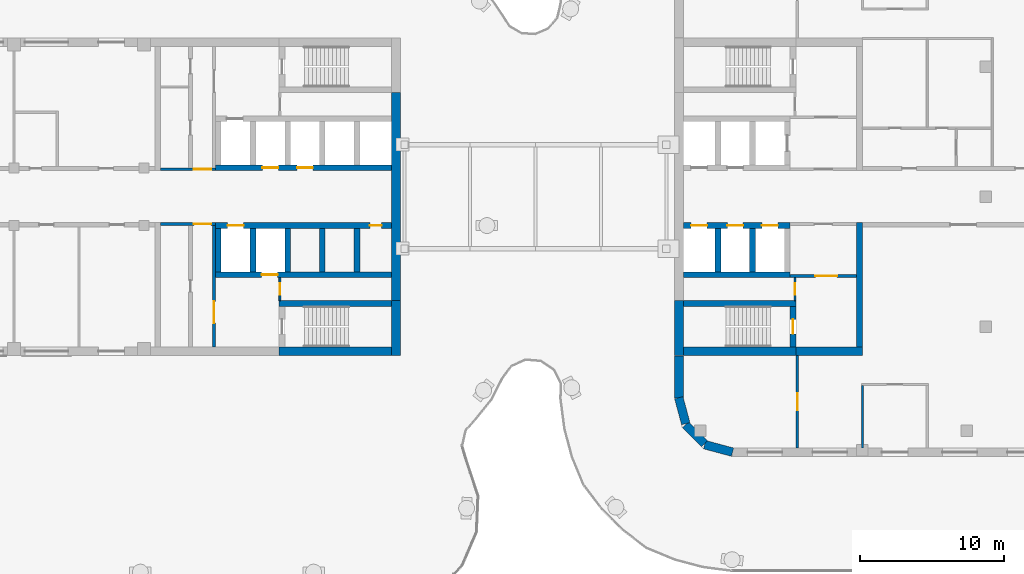
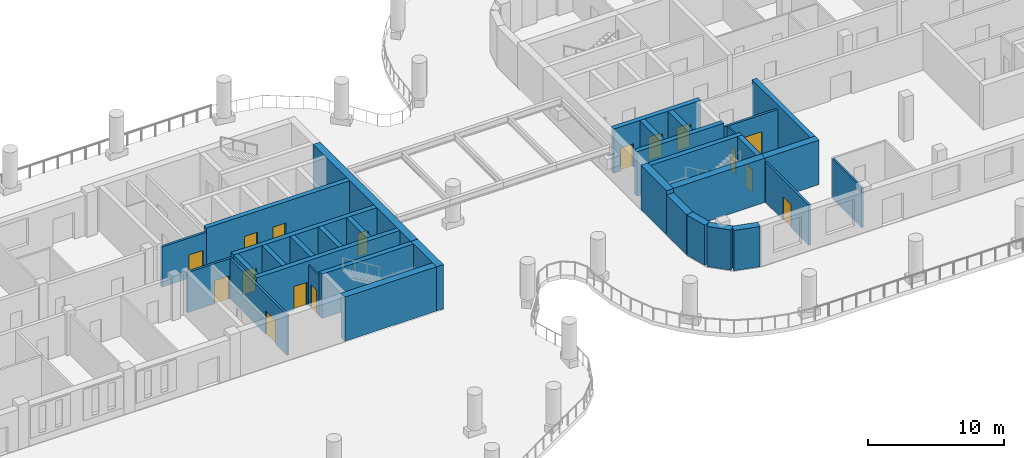
# One storey, part 6 of 18: 34 walls, 16 doors, 16 openings.
"""IFC4 building model written with IfcOpenShell, lengths in metres."""

from ifc_helpers import new_model, si_unit, direction, frame, frame_2d, origin, place, context, subcontext, project, spatial, rectangle, extrude, material, layer, layer_set, type_object, element, fill, save


model = new_model("IFC4")

# Units and contexts
model_context = context("Model", 3, precision=1e-05, world=origin(), true_north=direction((0.0, 1.0)))
body_context = subcontext(model_context, "Body", "Model", "MODEL_VIEW")
ifc_project = project(units=[si_unit("LENGTHUNIT", "METRE"), si_unit("AREAUNIT", "SQUARE_METRE"), si_unit("VOLUMEUNIT", "CUBIC_METRE"), si_unit("PLANEANGLEUNIT", "RADIAN"), si_unit("MASSUNIT", "GRAM", prefix="KILO")], contexts=[model_context])

# Site, building, storey
site_placement = place(None, origin())
site = spatial("IfcSite", under=ifc_project, at=site_placement, CompositionType="ELEMENT")
building_placement = place(site_placement, origin())
building = spatial("IfcBuilding", under=site, at=building_placement, Name="Skarvind Civic Tower", CompositionType="ELEMENT")
storey_placement = place(building_placement, frame((0.0, 0.0, 27.5)))
storey = spatial("IfcBuildingStorey", under=building, at=storey_placement, Name="L05", CompositionType="ELEMENT", Elevation=27.5)

# Wall, opening, door
ifc_material_1 = material(Name="Acoustic gypsum board on steel studs", Category="steel")
ifc_layer_1 = layer(ifc_material_1, 0.175048828125)
ifc_layer_set_1 = layer_set([ifc_layer_1], Name="ACOUSTIC MEETING-ROOM PARTITION 175")
wall_type_1 = type_object("IfcWallType", Name="ACOUSTIC MEETING-ROOM PARTITION 175", PredefinedType="PARTITIONING", material=ifc_layer_set_1)
wall_1_placement = place(storey_placement, frame((135.5, 117.0, 0.0), z_axis=(0.0, 0.0, 1.0), x_axis=(0.0, -1.0, 0.0)))
wall_1 = element("IfcWall", 1, at=wall_1_placement, inside=storey, type_object=wall_type_1, Name="Partition 05.001", PredefinedType="PARTITIONING", context=body_context, shape_type="SweptSolid", body=[
    extrude(rectangle(XDim=6.39990234375, YDim=0.175048828125, at=frame_2d((3.199951171875, 0.0))), origin(), (0.0, 0.0, 1.0), 3.625),
])
opening_1_placement = place(wall_1_placement, frame((2.60009765625, 0.0, 0.0)))
opening_1 = element("IfcOpeningElement", 2, at=opening_1_placement, cuts=wall_1, Name="Opening L05-D111", PredefinedType="OPENING", context=body_context, shape_type="SweptSolid", body=[
    extrude(rectangle(XDim=1.199951171875, YDim=2.10009765625, at=frame_2d((0.60009765625, 1.050048828125))), frame((0.0, 0.097412109375, 0.0), z_axis=(0.0, -1.0, 0.0), x_axis=(1.0, 0.0, 0.0)), (0.0, 0.0, 1.0), 0.195068359375),
])
ifc_material_2 = material(Name="Timber door leaf", Category="wood")
door_type_1 = type_object("IfcDoorType", Name="DOOR 1200X2100 DOUBLE TIMBER", OperationType="NOTDEFINED", PredefinedType="DOOR", material=ifc_material_2)
door_1_placement = place(opening_1_placement, origin())
door_1 = element("IfcDoor", 3, at=door_1_placement, inside=storey, type_object=door_type_1, Name="Door L05-D111", OperationType="DOUBLE_DOOR_SINGLE_SWING", OverallHeight=2.10009765625, OverallWidth=1.199951171875, PredefinedType="DOOR", context=body_context, shape_type="SweptSolid", body=[
    extrude(rectangle(XDim=1.199951171875, YDim=2.10009765625, at=frame_2d((0.60009765625, 1.050048828125))), frame((0.0, 0.02490234375, 0.0), z_axis=(0.0, -1.0, 0.0), x_axis=(1.0, 0.0, 0.0)), (0.0, 0.0, 1.0), 0.050048828125),
])
fill(opening_1, door_1)

ifc_material_3 = material(Name="Fire-rated masonry partition", Category="masonry")
ifc_layer_2 = layer(ifc_material_3, 0.199951171875)
ifc_layer_set_2 = layer_set([ifc_layer_2], Name="Core enclosure wall 200")
wall_type_2 = type_object("IfcWallType", Name="Core enclosure wall 200", PredefinedType="PARTITIONING", material=ifc_layer_set_2)
wall_2_placement = place(storey_placement, frame((95.199951171875, 126.10009765625, 0.0), z_axis=(0.0, 0.0, 1.0), x_axis=(-1.0, 0.0, 0.0)))
wall_2 = element("IfcWall", 4, at=wall_2_placement, inside=storey, type_object=wall_type_2, Name="Core wall C1", PredefinedType="PARTITIONING", context=body_context, shape_type="SweptSolid", body=[
    extrude(rectangle(XDim=3.800048828125, YDim=0.199951171875, at=frame_2d((1.89990234375, 0.0))), origin(), (0.0, 0.0, 1.0), 3.625),
])
opening_2_placement = place(wall_2_placement, frame((0.300048828125, 0.0, 0.0)))
opening_2 = element("IfcOpeningElement", 5, at=opening_2_placement, cuts=wall_2, Name="Opening D-L05-C1-05", PredefinedType="OPENING", context=body_context, shape_type="SweptSolid", body=[
    extrude(rectangle(XDim=1.199951171875, YDim=2.10009765625, at=frame_2d((0.60009765625, 1.050048828125))), frame((0.0, 0.10986328125, 0.0), z_axis=(0.0, -1.0, 0.0), x_axis=(1.0, 0.0, 0.0)), (0.0, 0.0, 1.0), 0.219970703125),
])
ifc_material_4 = material(Name="Fire-rated steel door", Category="steel")
door_type_2 = type_object("IfcDoorType", Name="Core lobby door 1200", OperationType="NOTDEFINED", PredefinedType="DOOR", material=ifc_material_4)
door_2_placement = place(opening_2_placement, origin())
door_2 = element("IfcDoor", 6, at=door_2_placement, inside=storey, type_object=door_type_2, Name="Fire door", OperationType="DOUBLE_DOOR_SINGLE_SWING", OverallHeight=2.10009765625, OverallWidth=1.199951171875, PredefinedType="DOOR", context=body_context, shape_type="SweptSolid", body=[
    extrude(rectangle(XDim=1.199951171875, YDim=2.10009765625, at=frame_2d((0.60009765625, 1.050048828125))), frame((0.0, 0.02490234375, 0.0), z_axis=(0.0, -1.0, 0.0), x_axis=(1.0, 0.0, 0.0)), (0.0, 0.0, 1.0), 0.050048828125),
])
fill(opening_2, door_2)

wall_3_placement = place(storey_placement, frame((95.10009765625, 117.60009765625, 0.0), z_axis=(0.0, 0.0, 1.0), x_axis=(0.0, 1.0, 0.0)))
wall_3 = element("IfcWall", 7, at=wall_3_placement, inside=storey, type_object=wall_type_2, Name="Core wall C1", PredefinedType="PARTITIONING", context=body_context, shape_type="SweptSolid", body=[
    extrude(rectangle(XDim=8.39990234375, YDim=0.199951171875, at=frame_2d((4.199951171875, 0.0))), origin(), (0.0, 0.0, 1.0), 3.625),
])
opening_3_placement = place(wall_3_placement, frame((1.64990234375, 0.0, 0.0)))
opening_3 = element("IfcOpeningElement", 8, at=opening_3_placement, cuts=wall_3, Name="Opening D-L05-C1-06", PredefinedType="OPENING", context=body_context, shape_type="SweptSolid", body=[
    extrude(rectangle(XDim=1.5, YDim=2.10009765625, at=frame_2d((0.75, 1.050048828125))), frame((0.0, 0.10986328125, 0.0), z_axis=(0.0, -1.0, 0.0), x_axis=(1.0, 0.0, 0.0)), (0.0, 0.0, 1.0), 0.219970703125),
])
door_type_3 = type_object("IfcDoorType", Name="Fire door 1500", OperationType="NOTDEFINED", PredefinedType="DOOR", material=ifc_material_4)
door_3_placement = place(opening_3_placement, origin())
door_3 = element("IfcDoor", 9, at=door_3_placement, inside=storey, type_object=door_type_3, Name="Fire door", OperationType="DOUBLE_DOOR_SINGLE_SWING", OverallHeight=2.10009765625, OverallWidth=1.5, PredefinedType="DOOR", context=body_context, shape_type="SweptSolid", body=[
    extrude(rectangle(XDim=1.5, YDim=2.10009765625, at=frame_2d((0.75, 1.050048828125))), frame((0.0, 0.02490234375, 0.0), z_axis=(0.0, -1.0, 0.0), x_axis=(1.0, 0.0, 0.0)), (0.0, 0.0, 1.0), 0.050048828125),
])
fill(opening_3, door_3)

wall_4_placement = place(storey_placement, frame((91.39990234375, 129.89990234375, 0.0), z_axis=(0.0, 0.0, 1.0), x_axis=(1.0, 0.0, 0.0)))
wall_4 = element("IfcWall", 10, at=wall_4_placement, inside=storey, type_object=wall_type_2, Name="Core wall C1", PredefinedType="PARTITIONING", context=body_context, shape_type="SweptSolid", body=[
    extrude(rectangle(XDim=3.800048828125, YDim=0.199951171875, at=frame_2d((1.89990234375, 0.0))), origin(), (0.0, 0.0, 1.0), 3.625),
])
opening_4_placement = place(wall_4_placement, frame((2.300048828125, 0.0, 0.0)))
opening_4 = element("IfcOpeningElement", 11, at=opening_4_placement, cuts=wall_4, Name="Opening D-L05-C1-10", PredefinedType="OPENING", context=body_context, shape_type="SweptSolid", body=[
    extrude(rectangle(XDim=1.199951171875, YDim=2.10009765625, at=frame_2d((0.60009765625, 1.050048828125))), frame((0.0, 0.10986328125, 0.0), z_axis=(0.0, -1.0, 0.0), x_axis=(1.0, 0.0, 0.0)), (0.0, 0.0, 1.0), 0.219970703125),
])
door_4_placement = place(opening_4_placement, origin())
door_4 = element("IfcDoor", 12, at=door_4_placement, inside=storey, type_object=door_type_2, Name="Fire door", OperationType="DOUBLE_DOOR_SINGLE_SWING", OverallHeight=2.10009765625, OverallWidth=1.199951171875, PredefinedType="DOOR", context=body_context, shape_type="SweptSolid", body=[
    extrude(rectangle(XDim=1.199951171875, YDim=2.10009765625, at=frame_2d((0.60009765625, 1.050048828125))), frame((0.0, 0.02490234375, 0.0), z_axis=(0.0, -1.0, 0.0), x_axis=(1.0, 0.0, 0.0)), (0.0, 0.0, 1.0), 0.050048828125),
])
fill(opening_4, door_4)

wall_5_placement = place(storey_placement, frame((139.60009765625, 122.5, 0.0), z_axis=(0.0, 0.0, 1.0), x_axis=(-1.0, 0.0, 0.0)))
wall_5 = element("IfcWall", 13, at=wall_5_placement, inside=storey, type_object=wall_type_2, Name="Core wall CA", PredefinedType="PARTITIONING", context=body_context, shape_type="SweptSolid", body=[
    extrude(rectangle(XDim=4.60009765625, YDim=0.199951171875, at=frame_2d((2.300048828125, 0.0))), origin(), (0.0, 0.0, 1.0), 3.625),
])
opening_5_placement = place(wall_5_placement, frame((1.35009765625, 0.0, 0.0)))
opening_5 = element("IfcOpeningElement", 14, at=opening_5_placement, cuts=wall_5, Name="Opening D-L05-CA-11", PredefinedType="OPENING", context=body_context, shape_type="SweptSolid", body=[
    extrude(rectangle(XDim=1.5, YDim=2.10009765625, at=frame_2d((0.75, 1.050048828125))), frame((0.0, 0.10986328125, 0.0), z_axis=(0.0, -1.0, 0.0), x_axis=(1.0, 0.0, 0.0)), (0.0, 0.0, 1.0), 0.219970703125),
])
door_5_placement = place(opening_5_placement, origin())
door_5 = element("IfcDoor", 15, at=door_5_placement, inside=storey, type_object=door_type_3, Name="Fire door", OperationType="DOUBLE_DOOR_SINGLE_SWING", OverallHeight=2.10009765625, OverallWidth=1.5, PredefinedType="DOOR", context=body_context, shape_type="SweptSolid", body=[
    extrude(rectangle(XDim=1.5, YDim=2.10009765625, at=frame_2d((0.75, 1.050048828125))), frame((0.0, 0.02490234375, 0.0), z_axis=(0.0, -1.0, 0.0), x_axis=(1.0, 0.0, 0.0)), (0.0, 0.0, 1.0), 0.050048828125),
])
fill(opening_5, door_5)

# Wall
ifc_material_5 = material(Name="Concrete C80", Category="concrete")
ifc_layer_3 = layer(ifc_material_5, 0.39990234375)
ifc_layer_set_3 = layer_set([ifc_layer_3], Name="Core wall 400 C80")
wall_type_3 = type_object("IfcWallType", Name="Core wall 400 C80", PredefinedType="SHEAR", material=ifc_layer_set_3)
wall_6_placement = place(storey_placement, frame((107.39990234375, 120.60009765625, 0.0), z_axis=(0.0, 0.0, 1.0), x_axis=(-1.0, 0.0, 0.0)))
element("IfcWall", 16, at=wall_6_placement, inside=storey, type_object=wall_type_3, Name="Core wall C1 north stair inner L05", PredefinedType="SHEAR", context=body_context, shape_type="SweptSolid", body=[
    extrude(rectangle(XDim=7.7998046875, YDim=0.39990234375, at=frame_2d((3.89990234375, 0.0))), origin(), (0.0, 0.0, 1.0), 4.0),
])

# Wall, openings, doors
wall_7_placement = place(storey_placement, frame((107.39990234375, 130.0, 0.0), z_axis=(0.0, 0.0, 1.0), x_axis=(-1.0, 0.0, 0.0)))
wall_7 = element("IfcWall", 17, at=wall_7_placement, inside=storey, type_object=wall_type_3, Name="Core wall C1 south lift row front L05", PredefinedType="SHEAR", context=body_context, shape_type="SweptSolid", body=[
    extrude(rectangle(XDim=12.199951171875, YDim=0.39990234375, at=frame_2d((6.10009765625, 0.0))), origin(), (0.0, 0.0, 1.0), 4.0),
])
opening_6_placement = place(wall_7_placement, frame((5.449951171875, 0.0, 0.0)))
opening_6 = element("IfcOpeningElement", 18, at=opening_6_placement, cuts=wall_7, Name="Opening LD07108", PredefinedType="OPENING", context=body_context, shape_type="SweptSolid", body=[
    extrude(rectangle(XDim=1.10009765625, YDim=2.10009765625, at=frame_2d((0.550048828125, 1.050048828125))), frame((0.0, 0.2099609375, 0.0), z_axis=(0.0, -1.0, 0.0), x_axis=(1.0, 0.0, 0.0)), (0.0, 0.0, 1.0), 0.419921875),
])
opening_7_placement = place(wall_7_placement, frame((7.85009765625, 0.0, 0.0)))
opening_7 = element("IfcOpeningElement", 19, at=opening_7_placement, cuts=wall_7, Name="Opening LD07109", PredefinedType="OPENING", context=body_context, shape_type="SweptSolid", body=[
    extrude(rectangle(XDim=1.10009765625, YDim=2.10009765625, at=frame_2d((0.550048828125, 1.050048828125))), frame((0.0, 0.2099609375, 0.0), z_axis=(0.0, -1.0, 0.0), x_axis=(1.0, 0.0, 0.0)), (0.0, 0.0, 1.0), 0.419921875),
])
ifc_material_6 = material(Name="Stainless steel landing door", Category="steel")
door_type_4 = type_object("IfcDoorType", Name="Lift landing door 1100", OperationType="DOUBLE_DOOR_SLIDING", PredefinedType="DOOR", material=ifc_material_6)
door_6_placement = place(opening_6_placement, origin())
door_6 = element("IfcDoor", 20, at=door_6_placement, inside=storey, type_object=door_type_4, Name="Lift landing door", OperationType="DOUBLE_DOOR_SLIDING", OverallHeight=2.10009765625, OverallWidth=1.10009765625, PredefinedType="DOOR", context=body_context, shape_type="SweptSolid", body=[
    extrude(rectangle(XDim=1.10009765625, YDim=2.10009765625, at=frame_2d((0.550048828125, 1.050048828125))), frame((0.0, 0.02490234375, 0.0), z_axis=(0.0, -1.0, 0.0), x_axis=(1.0, 0.0, 0.0)), (0.0, 0.0, 1.0), 0.050048828125),
])
fill(opening_6, door_6)
door_7_placement = place(opening_7_placement, origin())
door_7 = element("IfcDoor", 21, at=door_7_placement, inside=storey, type_object=door_type_4, Name="Lift landing door", OperationType="DOUBLE_DOOR_SLIDING", OverallHeight=2.10009765625, OverallWidth=1.10009765625, PredefinedType="DOOR", context=body_context, shape_type="SweptSolid", body=[
    extrude(rectangle(XDim=1.10009765625, YDim=2.10009765625, at=frame_2d((0.550048828125, 1.050048828125))), frame((0.0, 0.02490234375, 0.0), z_axis=(0.0, -1.0, 0.0), x_axis=(1.0, 0.0, 0.0)), (0.0, 0.0, 1.0), 0.050048828125),
])
fill(opening_7, door_7)

wall_8_placement = place(storey_placement, frame((107.39990234375, 126.0, 0.0), z_axis=(0.0, 0.0, 1.0), x_axis=(-1.0, 0.0, 0.0)))
wall_8 = element("IfcWall", 22, at=wall_8_placement, inside=storey, type_object=wall_type_3, Name="Core wall C1 north lift row front L05", PredefinedType="SHEAR", context=body_context, shape_type="SweptSolid", body=[
    extrude(rectangle(XDim=12.199951171875, YDim=0.39990234375, at=frame_2d((6.10009765625, 0.0))), origin(), (0.0, 0.0, 1.0), 4.0),
])
opening_8_placement = place(wall_8_placement, frame((10.25, 0.0, 0.0)))
opening_8 = element("IfcOpeningElement", 23, at=opening_8_placement, cuts=wall_8, Name="Opening LD07105", PredefinedType="OPENING", context=body_context, shape_type="SweptSolid", body=[
    extrude(rectangle(XDim=1.10009765625, YDim=2.10009765625, at=frame_2d((0.550048828125, 1.050048828125))), frame((0.0, 0.2099609375, 0.0), z_axis=(0.0, -1.0, 0.0), x_axis=(1.0, 0.0, 0.0)), (0.0, 0.0, 1.0), 0.419921875),
])
opening_9_placement = place(wall_8_placement, frame((0.699951171875, 0.0, 0.0)))
opening_9 = element("IfcOpeningElement", 24, at=opening_9_placement, cuts=wall_8, Name="Opening D-L05-C1-04", PredefinedType="OPENING", context=body_context, shape_type="SweptSolid", body=[
    extrude(rectangle(XDim=0.800048828125, YDim=2.10009765625, at=frame_2d((0.39990234375, 1.050048828125))), frame((0.0, 0.2099609375, 0.0), z_axis=(0.0, -1.0, 0.0), x_axis=(1.0, 0.0, 0.0)), (0.0, 0.0, 1.0), 0.419921875),
])
door_type_5 = type_object("IfcDoorType", Name="Core riser door 800", OperationType="NOTDEFINED", PredefinedType="DOOR", material=ifc_material_4)
door_8_placement = place(opening_9_placement, origin())
door_8 = element("IfcDoor", 25, at=door_8_placement, inside=storey, type_object=door_type_5, Name="Riser door", OperationType="SINGLE_SWING_LEFT", OverallHeight=2.10009765625, OverallWidth=0.800048828125, PredefinedType="DOOR", context=body_context, shape_type="SweptSolid", body=[
    extrude(rectangle(XDim=0.800048828125, YDim=2.10009765625, at=frame_2d((0.39990234375, 1.050048828125))), frame((0.0, 0.02490234375, 0.0), z_axis=(0.0, -1.0, 0.0), x_axis=(1.0, 0.0, 0.0)), (0.0, 0.0, 1.0), 0.050048828125),
])
fill(opening_9, door_8)
door_9_placement = place(opening_8_placement, origin())
door_9 = element("IfcDoor", 26, at=door_9_placement, inside=storey, type_object=door_type_4, Name="Lift landing door", OperationType="DOUBLE_DOOR_SLIDING", OverallHeight=2.10009765625, OverallWidth=1.10009765625, PredefinedType="DOOR", context=body_context, shape_type="SweptSolid", body=[
    extrude(rectangle(XDim=1.10009765625, YDim=2.10009765625, at=frame_2d((0.550048828125, 1.050048828125))), frame((0.0, 0.02490234375, 0.0), z_axis=(0.0, -1.0, 0.0), x_axis=(1.0, 0.0, 0.0)), (0.0, 0.0, 1.0), 0.050048828125),
])
fill(opening_8, door_9)

# Wall, opening, door
wall_9_placement = place(storey_placement, frame((107.39990234375, 122.60009765625, 0.0), z_axis=(0.0, 0.0, 1.0), x_axis=(-1.0, 0.0, 0.0)))
wall_9 = element("IfcWall", 27, at=wall_9_placement, inside=storey, type_object=wall_type_3, Name="Core wall C1 north lift row back L05", PredefinedType="SHEAR", context=body_context, shape_type="SweptSolid", body=[
    extrude(rectangle(XDim=12.199951171875, YDim=0.39990234375, at=frame_2d((6.10009765625, 0.0))), origin(), (0.0, 0.0, 1.0), 4.0),
])
opening_10_placement = place(wall_9_placement, frame((7.89990234375, 0.0, 0.0)))
opening_10 = element("IfcOpeningElement", 28, at=opening_10_placement, cuts=wall_9, Name="Opening LD07104", PredefinedType="OPENING", context=body_context, shape_type="SweptSolid", body=[
    extrude(rectangle(XDim=1.10009765625, YDim=2.10009765625, at=frame_2d((0.550048828125, 1.050048828125))), frame((0.0, 0.2099609375, 0.0), z_axis=(0.0, -1.0, 0.0), x_axis=(1.0, 0.0, 0.0)), (0.0, 0.0, 1.0), 0.419921875),
])
door_10_placement = place(opening_10_placement, origin())
door_10 = element("IfcDoor", 29, at=door_10_placement, inside=storey, type_object=door_type_4, Name="Lift landing door", OperationType="DOUBLE_DOOR_SLIDING", OverallHeight=2.10009765625, OverallWidth=1.10009765625, PredefinedType="DOOR", context=body_context, shape_type="SweptSolid", body=[
    extrude(rectangle(XDim=1.10009765625, YDim=2.10009765625, at=frame_2d((0.550048828125, 1.050048828125))), frame((0.0, 0.02490234375, 0.0), z_axis=(0.0, -1.0, 0.0), x_axis=(1.0, 0.0, 0.0)), (0.0, 0.0, 1.0), 0.050048828125),
])
fill(opening_10, door_10)

# Walls
for number, where, z_axis, x_axis, name in (
    (30, (105.0, 125.800048828125, 0.0), (0.0, 0.0, 1.0), (0.0, -1.0, 0.0), "Core wall C1 north lift row division 1 L05"),
    (31, (102.60009765625, 125.800048828125, 0.0), (0.0, 0.0, 1.0), (0.0, -1.0, 0.0), "Core wall C1 north lift row division 2 L05"),
    (32, (100.199951171875, 125.800048828125, 0.0), (0.0, 0.0, 1.0), (0.0, -1.0, 0.0), "Core wall C1 north lift row division 3 L05"),
    (33, (97.800048828125, 125.800048828125, 0.0), (0.0, 0.0, 1.0), (0.0, -1.0, 0.0), "Core wall C1 north lift row division 4 L05"),
    (34, (95.39990234375, 125.800048828125, 0.0), (0.0, 0.0, 1.0), (0.0, -1.0, 0.0), "Core wall C1 north lift row division 5 L05"),
):
    element("IfcWall", number, at=place(storey_placement, frame(where, z_axis=z_axis, x_axis=x_axis)), inside=storey, type_object=wall_type_3, Name=name, PredefinedType="SHEAR", context=body_context, shape_type="SweptSolid", body=[
        extrude(rectangle(XDim=3.0, YDim=0.39990234375, at=frame_2d((1.5, 0.0))), origin(), (0.0, 0.0, 1.0), 4.0),
    ])
wall_10_placement = place(storey_placement, frame((127.60009765625, 120.60009765625, 0.0), z_axis=(0.0, 0.0, 1.0), x_axis=(1.0, 0.0, 0.0)))
element("IfcWall", 35, at=wall_10_placement, inside=storey, type_object=wall_type_3, Name="Core wall CA south stair inner L05", PredefinedType="SHEAR", context=body_context, shape_type="SweptSolid", body=[
    extrude(rectangle(XDim=7.7998046875, YDim=0.39990234375, at=frame_2d((3.89990234375, 0.0))), origin(), (0.0, 0.0, 1.0), 4.0),
])

# Wall, opening, door
wall_11_placement = place(storey_placement, frame((135.199951171875, 117.60009765625, 0.0), z_axis=(0.0, 0.0, 1.0), x_axis=(0.0, 1.0, 0.0)))
wall_11 = element("IfcWall", 36, at=wall_11_placement, inside=storey, type_object=wall_type_3, Name="Core wall CA south stair end L05", PredefinedType="SHEAR", context=body_context, shape_type="SweptSolid", body=[
    extrude(rectangle(XDim=2.7998046875, YDim=0.39990234375, at=frame_2d((1.39990234375, 0.0))), origin(), (0.0, 0.0, 1.0), 4.0),
])
opening_11_placement = place(wall_11_placement, frame((0.89990234375, 0.0, 0.0)))
opening_11 = element("IfcOpeningElement", 37, at=opening_11_placement, cuts=wall_11, Name="Opening D-L05-CA-12", PredefinedType="OPENING", context=body_context, shape_type="SweptSolid", body=[
    extrude(rectangle(XDim=1.0, YDim=2.10009765625, at=frame_2d((0.5, 1.050048828125))), frame((0.0, 0.2099609375, 0.0), z_axis=(0.0, -1.0, 0.0), x_axis=(1.0, 0.0, 0.0)), (0.0, 0.0, 1.0), 0.419921875),
])
door_type_6 = type_object("IfcDoorType", Name="Fire door 1000", OperationType="NOTDEFINED", PredefinedType="DOOR", material=ifc_material_4)
door_11_placement = place(opening_11_placement, origin())
door_11 = element("IfcDoor", 38, at=door_11_placement, inside=storey, type_object=door_type_6, Name="Fire door", OperationType="SINGLE_SWING_RIGHT", OverallHeight=2.10009765625, OverallWidth=1.0, PredefinedType="DOOR", context=body_context, shape_type="SweptSolid", body=[
    extrude(rectangle(XDim=1.0, YDim=2.10009765625, at=frame_2d((0.5, 1.050048828125))), frame((0.0, 0.02490234375, 0.0), z_axis=(0.0, -1.0, 0.0), x_axis=(1.0, 0.0, 0.0)), (0.0, 0.0, 1.0), 0.050048828125),
])
fill(opening_11, door_11)

# Wall, openings, doors
wall_12_placement = place(storey_placement, frame((127.60009765625, 126.0, 0.0), z_axis=(0.0, 0.0, 1.0), x_axis=(1.0, 0.0, 0.0)))
wall_12 = element("IfcWall", 39, at=wall_12_placement, inside=storey, type_object=wall_type_3, Name="Core wall CA south lift row front L05", PredefinedType="SHEAR", context=body_context, shape_type="SweptSolid", body=[
    extrude(rectangle(XDim=7.39990234375, YDim=0.39990234375, at=frame_2d((3.699951171875, 0.0))), origin(), (0.0, 0.0, 1.0), 4.0),
])
opening_12_placement = place(wall_12_placement, frame((0.550048828125, 0.0, 0.0)))
opening_12 = element("IfcOpeningElement", 40, at=opening_12_placement, cuts=wall_12, Name="Opening LD07304", PredefinedType="OPENING", context=body_context, shape_type="SweptSolid", body=[
    extrude(rectangle(XDim=1.10009765625, YDim=2.10009765625, at=frame_2d((0.550048828125, 1.050048828125))), frame((0.0, 0.2099609375, 0.0), z_axis=(0.0, -1.0, 0.0), x_axis=(1.0, 0.0, 0.0)), (0.0, 0.0, 1.0), 0.419921875),
])
opening_13_placement = place(wall_12_placement, frame((3.050048828125, 0.0, 0.0)))
opening_13 = element("IfcOpeningElement", 41, at=opening_13_placement, cuts=wall_12, Name="Opening LD07305", PredefinedType="OPENING", context=body_context, shape_type="SweptSolid", body=[
    extrude(rectangle(XDim=1.10009765625, YDim=2.10009765625, at=frame_2d((0.550048828125, 1.050048828125))), frame((0.0, 0.2099609375, 0.0), z_axis=(0.0, -1.0, 0.0), x_axis=(1.0, 0.0, 0.0)), (0.0, 0.0, 1.0), 0.419921875),
])
opening_14_placement = place(wall_12_placement, frame((5.449951171875, 0.0, 0.0)))
opening_14 = element("IfcOpeningElement", 42, at=opening_14_placement, cuts=wall_12, Name="Opening LD07306", PredefinedType="OPENING", context=body_context, shape_type="SweptSolid", body=[
    extrude(rectangle(XDim=1.10009765625, YDim=2.10009765625, at=frame_2d((0.550048828125, 1.050048828125))), frame((0.0, 0.2099609375, 0.0), z_axis=(0.0, -1.0, 0.0), x_axis=(1.0, 0.0, 0.0)), (0.0, 0.0, 1.0), 0.419921875),
])
door_12_placement = place(opening_12_placement, origin())
door_12 = element("IfcDoor", 43, at=door_12_placement, inside=storey, type_object=door_type_4, Name="Lift landing door", OperationType="DOUBLE_DOOR_SLIDING", OverallHeight=2.10009765625, OverallWidth=1.10009765625, PredefinedType="DOOR", context=body_context, shape_type="SweptSolid", body=[
    extrude(rectangle(XDim=1.10009765625, YDim=2.10009765625, at=frame_2d((0.550048828125, 1.050048828125))), frame((0.0, 0.02490234375, 0.0), z_axis=(0.0, -1.0, 0.0), x_axis=(1.0, 0.0, 0.0)), (0.0, 0.0, 1.0), 0.050048828125),
])
fill(opening_12, door_12)
door_13_placement = place(opening_13_placement, origin())
door_13 = element("IfcDoor", 44, at=door_13_placement, inside=storey, type_object=door_type_4, Name="Lift landing door", OperationType="DOUBLE_DOOR_SLIDING", OverallHeight=2.10009765625, OverallWidth=1.10009765625, PredefinedType="DOOR", context=body_context, shape_type="SweptSolid", body=[
    extrude(rectangle(XDim=1.10009765625, YDim=2.10009765625, at=frame_2d((0.550048828125, 1.050048828125))), frame((0.0, 0.02490234375, 0.0), z_axis=(0.0, -1.0, 0.0), x_axis=(1.0, 0.0, 0.0)), (0.0, 0.0, 1.0), 0.050048828125),
])
fill(opening_13, door_13)
door_14_placement = place(opening_14_placement, origin())
door_14 = element("IfcDoor", 45, at=door_14_placement, inside=storey, type_object=door_type_4, Name="Lift landing door", OperationType="DOUBLE_DOOR_SLIDING", OverallHeight=2.10009765625, OverallWidth=1.10009765625, PredefinedType="DOOR", context=body_context, shape_type="SweptSolid", body=[
    extrude(rectangle(XDim=1.10009765625, YDim=2.10009765625, at=frame_2d((0.550048828125, 1.050048828125))), frame((0.0, 0.02490234375, 0.0), z_axis=(0.0, -1.0, 0.0), x_axis=(1.0, 0.0, 0.0)), (0.0, 0.0, 1.0), 0.050048828125),
])
fill(opening_14, door_14)

# Walls
wall_13_placement = place(storey_placement, frame((127.60009765625, 122.60009765625, 0.0), z_axis=(0.0, 0.0, 1.0), x_axis=(1.0, 0.0, 0.0)))
element("IfcWall", 46, at=wall_13_placement, inside=storey, type_object=wall_type_3, Name="Core wall CA south lift row back L05", PredefinedType="SHEAR", context=body_context, shape_type="SweptSolid", body=[
    extrude(rectangle(XDim=7.39990234375, YDim=0.39990234375, at=frame_2d((3.699951171875, 0.0))), origin(), (0.0, 0.0, 1.0), 4.0),
])
for number, where, z_axis, x_axis, name in (
    (47, (130.0, 122.800048828125, 0.0), (0.0, 0.0, 1.0), (0.0, 1.0, 0.0), "Core wall CA south lift row division 1 L05"),
    (48, (132.39990234375, 122.800048828125, 0.0), (0.0, 0.0, 1.0), (0.0, 1.0, 0.0), "Core wall CA south lift row division 2 L05"),
):
    element("IfcWall", number, at=place(storey_placement, frame(where, z_axis=z_axis, x_axis=x_axis)), inside=storey, type_object=wall_type_3, Name=name, PredefinedType="SHEAR", context=body_context, shape_type="SweptSolid", body=[
        extrude(rectangle(XDim=3.0, YDim=0.39990234375, at=frame_2d((1.5, 0.0))), origin(), (0.0, 0.0, 1.0), 4.0),
    ])
wall_14_placement = place(storey_placement, frame((139.800048828125, 117.60009765625, 0.0), z_axis=(0.0, 0.0, 1.0), x_axis=(0.0, 1.0, 0.0)))
element("IfcWall", 49, at=wall_14_placement, inside=storey, type_object=wall_type_3, Name="Core wall CA south inner face L05", PredefinedType="SHEAR", context=body_context, shape_type="SweptSolid", body=[
    extrude(rectangle(XDim=8.599853515625, YDim=0.39990234375, at=frame_2d((4.2998046875, 0.0))), origin(), (0.0, 0.0, 1.0), 4.0),
])
ifc_layer_4 = layer(ifc_material_5, 0.60009765625)
ifc_layer_set_4 = layer_set([ifc_layer_4], Name="Core wall 600 C80")
wall_type_4 = type_object("IfcWallType", Name="Core wall 600 C80", PredefinedType="SHEAR", material=ifc_layer_set_4)
wall_15_placement = place(storey_placement, frame((107.699951171875, 135.199951171875, 0.0), z_axis=(0.0, 0.0, 1.0), x_axis=(0.0, -1.0, 0.0)))
element("IfcWall", 50, at=wall_15_placement, inside=storey, type_object=wall_type_4, Name="Core wall C1 tip between the stairs L05", PredefinedType="SHEAR", context=body_context, shape_type="SweptSolid", body=[
    extrude(rectangle(XDim=14.39990234375, YDim=0.60009765625, at=frame_2d((7.199951171875, 0.0))), origin(), (0.0, 0.0, 1.0), 4.0),
])
wall_16_placement = place(storey_placement, frame((107.699951171875, 120.800048828125, 0.0), z_axis=(0.0, 0.0, 1.0), x_axis=(0.0, -1.0, 0.0)))
element("IfcWall", 51, at=wall_16_placement, inside=storey, type_object=wall_type_4, Name="Core wall C1 tip at the north stair L05", PredefinedType="SHEAR", context=body_context, shape_type="SweptSolid", body=[
    extrude(rectangle(XDim=3.800048828125, YDim=0.60009765625, at=frame_2d((1.89990234375, 0.0))), origin(), (0.0, 0.0, 1.0), 4.0),
])
wall_17_placement = place(storey_placement, frame((107.39990234375, 117.300048828125, 0.0), z_axis=(0.0, 0.0, 1.0), x_axis=(-1.0, 0.0, 0.0)))
element("IfcWall", 52, at=wall_17_placement, inside=storey, type_object=wall_type_4, Name="Core wall C1 north side at the stair L05", PredefinedType="SHEAR", context=body_context, shape_type="SweptSolid", body=[
    extrude(rectangle(XDim=7.7998046875, YDim=0.60009765625, at=frame_2d((3.89990234375, 0.0))), origin(), (0.0, 0.0, 1.0), 4.0),
])
wall_18_placement = place(storey_placement, frame((127.300048828125, 117.0, 0.0), z_axis=(0.0, 0.0, 1.0), x_axis=(0.0, 1.0, 0.0)))
element("IfcWall", 53, at=wall_18_placement, inside=storey, type_object=wall_type_4, Name="Core wall CA tip at the south stair L05", PredefinedType="SHEAR", context=body_context, shape_type="SweptSolid", body=[
    extrude(rectangle(XDim=3.800048828125, YDim=0.60009765625, at=frame_2d((1.89990234375, 0.0))), origin(), (0.0, 0.0, 1.0), 4.0),
])
wall_19_placement = place(storey_placement, frame((127.60009765625, 117.300048828125, 0.0), z_axis=(0.0, 0.0, 1.0), x_axis=(1.0, 0.0, 0.0)))
element("IfcWall", 54, at=wall_19_placement, inside=storey, type_object=wall_type_4, Name="Core wall CA south side at the stair L05", PredefinedType="SHEAR", context=body_context, shape_type="SweptSolid", body=[
    extrude(rectangle(XDim=7.7998046875, YDim=0.60009765625, at=frame_2d((3.89990234375, 0.0))), origin(), (0.0, 0.0, 1.0), 4.0),
])
wall_20_placement = place(storey_placement, frame((135.39990234375, 117.300048828125, 0.0), z_axis=(0.0, 0.0, 1.0), x_axis=(1.0, 0.0, 0.0)))
element("IfcWall", 55, at=wall_20_placement, inside=storey, type_object=wall_type_4, Name="Core wall CA south side L05", PredefinedType="SHEAR", context=body_context, shape_type="SweptSolid", body=[
    extrude(rectangle(XDim=4.60009765625, YDim=0.60009765625, at=frame_2d((2.300048828125, 0.0))), origin(), (0.0, 0.0, 1.0), 4.0),
])
ifc_material_7 = material(Name="Plasterboard partition on steel studs", Category="steel")
ifc_layer_5 = layer(ifc_material_7, 0.14990234375)
ifc_layer_set_5 = layer_set([ifc_layer_5], Name="PARTITION 150")
wall_type_5 = type_object("IfcWallType", Name="PARTITION 150", PredefinedType="PARTITIONING", material=ifc_layer_set_5)
wall_21_placement = place(storey_placement, frame((140.0, 110.60009765625, 0.0), z_axis=(0.0, 0.0, 1.0), x_axis=(0.0, 1.0, 0.0)))
element("IfcWall", 56, at=wall_21_placement, inside=storey, type_object=wall_type_5, Name="Partition 05.003", PredefinedType="PARTITIONING", context=body_context, shape_type="SweptSolid", body=[
    extrude(rectangle(XDim=4.324951171875, YDim=0.14990234375, at=frame_2d((2.16259765625, 0.0))), origin(), (0.0, 0.0, 1.0), 3.625),
])

# Wall, opening, door
ifc_layer_6 = layer(ifc_material_3, 0.125)
ifc_layer_set_6 = layer_set([ifc_layer_6], Name="Riser wall 125")
wall_type_6 = type_object("IfcWallType", Name="Riser wall 125", PredefinedType="PARTITIONING", material=ifc_layer_set_6)
wall_22_placement = place(storey_placement, frame((99.66259765625, 120.800048828125, 0.0), z_axis=(0.0, 0.0, 1.0), x_axis=(0.0, 1.0, 0.0)))
wall_22 = element("IfcWall", 57, at=wall_22_placement, inside=storey, type_object=wall_type_6, Name="Core wall C1", PredefinedType="PARTITIONING", context=body_context, shape_type="SweptSolid", body=[
    extrude(rectangle(XDim=1.599853515625, YDim=0.125, at=frame_2d((0.7998046875, 0.0))), origin(), (0.0, 0.0, 1.0), 3.625),
])
opening_15_placement = place(wall_22_placement, frame((0.39990234375, 0.0, 0.0)))
opening_15 = element("IfcOpeningElement", 58, at=opening_15_placement, cuts=wall_22, Name="Opening D-L05-C1-08", PredefinedType="OPENING", context=body_context, shape_type="SweptSolid", body=[
    extrude(rectangle(XDim=0.800048828125, YDim=2.10009765625, at=frame_2d((0.39990234375, 1.050048828125))), frame((0.0, 0.072509765625, 0.0), z_axis=(0.0, -1.0, 0.0), x_axis=(1.0, 0.0, 0.0)), (0.0, 0.0, 1.0), 0.14501953125),
])
door_15_placement = place(opening_15_placement, origin())
door_15 = element("IfcDoor", 59, at=door_15_placement, inside=storey, type_object=door_type_5, Name="Riser door", OperationType="SINGLE_SWING_RIGHT", OverallHeight=2.10009765625, OverallWidth=0.800048828125, PredefinedType="DOOR", context=body_context, shape_type="SweptSolid", body=[
    extrude(rectangle(XDim=0.800048828125, YDim=2.10009765625, at=frame_2d((0.39990234375, 1.050048828125))), frame((0.0, 0.02490234375, 0.0), z_axis=(0.0, -1.0, 0.0), x_axis=(1.0, 0.0, 0.0)), (0.0, 0.0, 1.0), 0.050048828125),
])
fill(opening_15, door_15)

wall_23_placement = place(storey_placement, frame((135.33740234375, 122.39990234375, 0.0), z_axis=(0.0, 0.0, 1.0), x_axis=(0.0, -1.0, 0.0)))
wall_23 = element("IfcWall", 60, at=wall_23_placement, inside=storey, type_object=wall_type_6, Name="Core wall CA", PredefinedType="PARTITIONING", context=body_context, shape_type="SweptSolid", body=[
    extrude(rectangle(XDim=1.599853515625, YDim=0.125, at=frame_2d((0.7998046875, 0.0))), origin(), (0.0, 0.0, 1.0), 3.625),
])
opening_16_placement = place(wall_23_placement, frame((0.39990234375, 0.0, 0.0)))
opening_16 = element("IfcOpeningElement", 61, at=opening_16_placement, cuts=wall_23, Name="Opening D-L05-CA-13", PredefinedType="OPENING", context=body_context, shape_type="SweptSolid", body=[
    extrude(rectangle(XDim=0.800048828125, YDim=2.10009765625, at=frame_2d((0.39990234375, 1.050048828125))), frame((0.0, 0.072509765625, 0.0), z_axis=(0.0, -1.0, 0.0), x_axis=(1.0, 0.0, 0.0)), (0.0, 0.0, 1.0), 0.14501953125),
])
door_16_placement = place(opening_16_placement, origin())
door_16 = element("IfcDoor", 62, at=door_16_placement, inside=storey, type_object=door_type_5, Name="Riser door", OperationType="SINGLE_SWING_LEFT", OverallHeight=2.10009765625, OverallWidth=0.800048828125, PredefinedType="DOOR", context=body_context, shape_type="SweptSolid", body=[
    extrude(rectangle(XDim=0.800048828125, YDim=2.10009765625, at=frame_2d((0.39990234375, 1.050048828125))), frame((0.0, 0.02490234375, 0.0), z_axis=(0.0, -1.0, 0.0), x_axis=(1.0, 0.0, 0.0)), (0.0, 0.0, 1.0), 0.050048828125),
])
fill(opening_16, door_16)

# Walls
ifc_material_8 = material(Name="Limestone masonry cladding on insulated backing", Category="masonry")
ifc_layer_7 = layer(ifc_material_8, 0.60009765625)
ifc_layer_set_7 = layer_set([ifc_layer_7], Name="WX1 STONE FACADE WALL 600")
wall_type_7 = type_object("IfcWallType", Name="WX1 STONE FACADE WALL 600", PredefinedType="SOLIDWALL", material=ifc_layer_set_7)
wall_24_placement = place(storey_placement, frame((127.300048828125, 114.070068359375, 0.0), z_axis=(0.0, 0.0, 1.0), x_axis=(0.0, 1.0, 0.0)))
element("IfcWall", 63, at=wall_24_placement, inside=storey, type_object=wall_type_7, Name="STONE FACADE WALL", PredefinedType="SOLIDWALL", context=body_context, shape_type="SweptSolid", body=[
    extrude(rectangle(XDim=2.909912109375, YDim=0.60009765625, at=frame_2d((1.455078125, 0.0))), origin(), (0.0, 0.0, 1.0), 3.625),
])
for number, where, z_axis, x_axis, name in (
    (64, (127.771240234375, 112.280517578125, 0.0), (0.0, 0.0, 1.0), (-0.258773254036, 0.965938094805, 0.0), "STONE FACADE WALL"),
    (65, (129.063720703125, 110.896484375, 0.0), (0.0, 0.0, 1.0), (-0.707106781187, 0.707106781187, 0.0), "STONE FACADE WALL"),
):
    element("IfcWall", number, at=place(storey_placement, frame(where, z_axis=z_axis, x_axis=x_axis)), inside=storey, type_object=wall_type_7, Name=name, PredefinedType="SOLIDWALL", context=body_context, shape_type="SweptSolid", body=[
        extrude(rectangle(XDim=1.860595703125, YDim=0.60009765625, at=frame_2d((0.93017578125, 0.0))), origin(), (0.0, 0.0, 1.0), 3.625),
    ])
wall_25_placement = place(storey_placement, frame((131.010009765625, 110.307861328125, 0.0), z_axis=(0.0, 0.0, 1.0), x_axis=(-0.965920269068, 0.258839784042, 0.0)))
element("IfcWall", 66, at=wall_25_placement, inside=storey, type_object=wall_type_7, Name="STONE FACADE WALL", PredefinedType="SOLIDWALL", context=body_context, shape_type="SweptSolid", body=[
    extrude(rectangle(XDim=2.00048828125, YDim=0.60009765625, at=frame_2d((1.000244140625, 0.0))), origin(), (0.0, 0.0, 1.0), 3.625),
])

save(model, "model.ifc")
